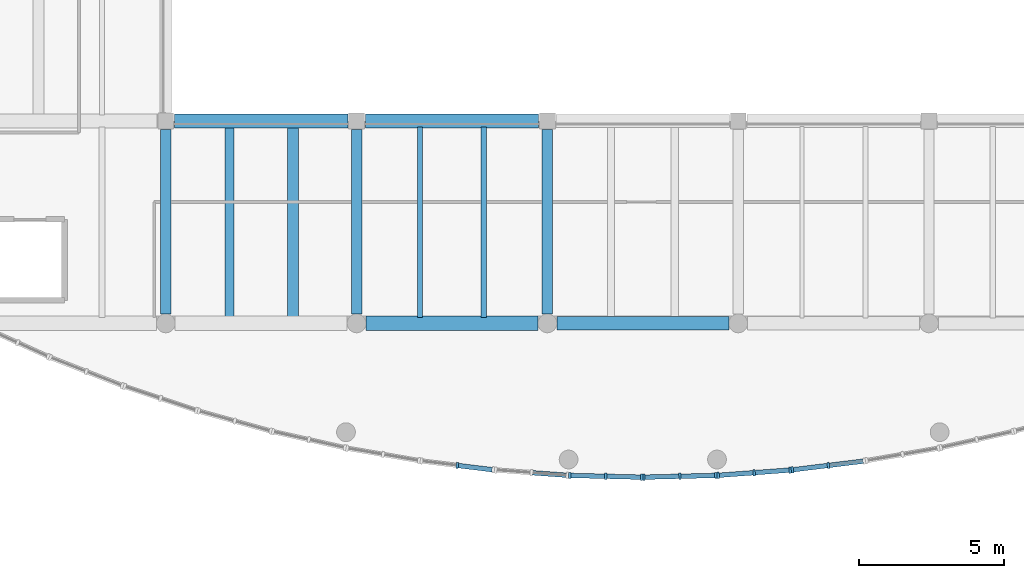
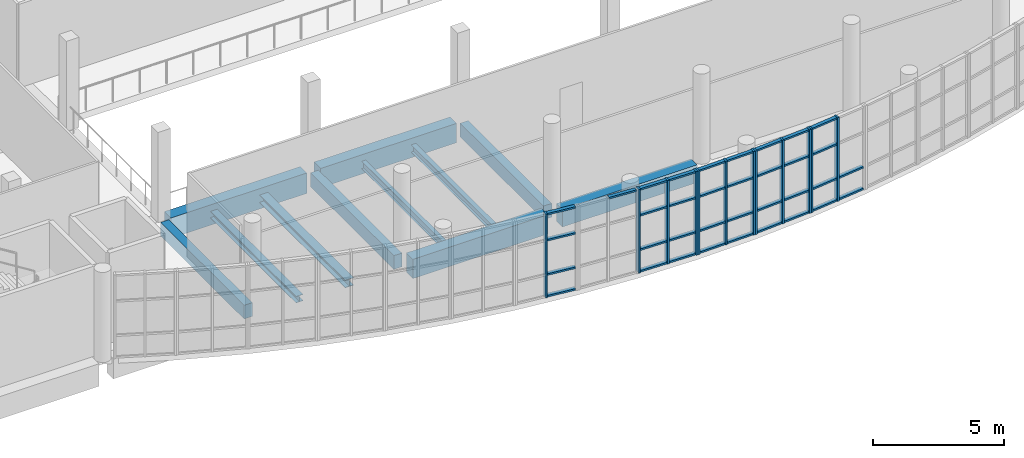
# One storey, part 10 of 65: 47 members, 11 beams, 6 elements without a shape of their own.
"""IFC4 building model written with IfcOpenShell, lengths in metres."""

from ifc_helpers import new_model, si_unit, direction, frame, origin, origin_2d, place, context, subcontext, project, spatial, rectangle, i_section, extrude, material, material_profile, profile_set, type_object, element, aggregate, save


model = new_model("IFC4")

# Units and contexts
model_context = context("Model", 3, precision=1e-05, world=origin(), true_north=direction((0.0, 1.0)))
body_context = subcontext(model_context, "Body", "Model", "MODEL_VIEW")
ifc_project = project(units=[si_unit("LENGTHUNIT", "METRE"), si_unit("AREAUNIT", "SQUARE_METRE"), si_unit("VOLUMEUNIT", "CUBIC_METRE"), si_unit("PLANEANGLEUNIT", "RADIAN"), si_unit("MASSUNIT", "GRAM", prefix="KILO")], contexts=[model_context])

# Site, building, storey
site_placement = place(None, origin())
site = spatial("IfcSite", under=ifc_project, at=site_placement, CompositionType="ELEMENT")
building_placement = place(site_placement, origin())
building = spatial("IfcBuilding", under=site, at=building_placement, Name="Ciguamira Faculty of Natural Sciences", CompositionType="ELEMENT")
storey_placement = place(building_placement, frame((0.0, 0.0, 12.60009765625)))
storey = spatial("IfcBuildingStorey", under=building, at=storey_placement, Name="L03", CompositionType="ELEMENT", Elevation=12.60009765625)

# Curtain wall, member
ifc_material_1 = material(Name="Anodized aluminium curtain wall", Category="aluminium")
curtain_wall_type_1 = type_object("IfcCurtainWallType", Name="CurtainWall_CW-06", PredefinedType="USERDEFINED", material=ifc_material_1)
curtain_wall_1_placement = place(storey_placement, origin())
curtain_wall_1 = element("IfcCurtainWall", 1, at=curtain_wall_1_placement, inside=storey, type_object=curtain_wall_type_1, Name="L03 south gallery curved curtain wall 07", ObjectType="UNITISED CURTAIN WALL", PredefinedType="USERDEFINED")
ifc_material_2 = material(Name="Anodized aluminium mullion", Category="aluminium")
ifc_material_profile_1 = material_profile(ifc_material_2, rectangle(XDim=0.080078125, YDim=0.219970703125, at=origin_2d()), Name="ALU-MUL-80X220")
ifc_profile_set_1 = profile_set([ifc_material_profile_1], Name="Anodized aluminium mullion")
member_type_1 = type_object("IfcMemberType", Name="CWMullion_CWM-03", PredefinedType="MULLION", material=ifc_profile_set_1)
member_1_placement = place(storey_placement, frame((80.583251953125, 5.0859375, 0.0), z_axis=(0.0, 0.0, 1.0), x_axis=(0.992585912631, -0.12154507825, 0.0)))
member_1 = element("IfcMember", 2, at=member_1_placement, type_object=member_type_1, Name="CW-06 mullion 2", PredefinedType="MULLION", context=body_context, shape_type="SweptSolid", body=[
    extrude(rectangle(XDim=0.080078125, YDim=0.219970703125, at=origin_2d()), origin(), (0.0, 0.0, 1.0), 3.89990234375),
])

# Curtain wall, members
curtain_wall_type_2 = type_object("IfcCurtainWallType", Name="CurtainWall_CW-08", PredefinedType="USERDEFINED", material=ifc_material_1)
curtain_wall_2_placement = place(storey_placement, origin())
curtain_wall_2 = element("IfcCurtainWall", 3, at=curtain_wall_2_placement, inside=storey, type_object=curtain_wall_type_2, Name="L03 south gallery curved curtain wall 09", ObjectType="UNITISED CURTAIN WALL", PredefinedType="USERDEFINED")
member_2_placement = place(storey_placement, frame((84.473388671875, 4.740234375, 0.0), z_axis=(0.0, 0.0, 1.0), x_axis=(0.999703662415, -0.024343117197, 0.0)))
member_2 = element("IfcMember", 4, at=member_2_placement, type_object=member_type_1, Name="CW-08 mullion 1", PredefinedType="MULLION", context=body_context, shape_type="SweptSolid", body=[
    extrude(rectangle(XDim=0.080078125, YDim=0.219970703125, at=origin_2d()), origin(), (0.0, 0.0, 1.0), 3.89990234375),
])
member_3_placement = place(storey_placement, frame((85.716552734375, 4.7099609375, 0.0), z_axis=(0.0, 0.0, 1.0), x_axis=(0.999703662415, -0.024343117197, 0.0)))
member_3 = element("IfcMember", 5, at=member_3_placement, type_object=member_type_1, Name="CW-08 mullion 2", PredefinedType="MULLION", context=body_context, shape_type="SweptSolid", body=[
    extrude(rectangle(XDim=0.080078125, YDim=0.219970703125, at=origin_2d()), origin(), (0.0, 0.0, 1.0), 3.89990234375),
])
member_4_placement = place(storey_placement, frame((86.9599609375, 4.6796875, 0.0), z_axis=(0.0, 0.0, 1.0), x_axis=(0.999703662415, -0.024343117197, 0.0)))
member_4 = element("IfcMember", 6, at=member_4_placement, type_object=member_type_1, Name="CW-08 mullion 3", PredefinedType="MULLION", context=body_context, shape_type="SweptSolid", body=[
    extrude(rectangle(XDim=0.080078125, YDim=0.219970703125, at=origin_2d()), origin(), (0.0, 0.0, 1.0), 3.89990234375),
])

curtain_wall_type_3 = type_object("IfcCurtainWallType", Name="CurtainWall_CW-09", PredefinedType="USERDEFINED", material=ifc_material_1)
curtain_wall_3_placement = place(storey_placement, origin())
curtain_wall_3 = element("IfcCurtainWall", 7, at=curtain_wall_3_placement, inside=storey, type_object=curtain_wall_type_3, Name="L03 south gallery curved curtain wall 10", ObjectType="UNITISED CURTAIN WALL", PredefinedType="USERDEFINED")
member_5_placement = place(storey_placement, frame((87.0400390625, 4.6796875, 0.0), z_axis=(0.0, 0.0, 1.0), x_axis=(0.999703662415, 0.024343117197, 0.0)))
member_5 = element("IfcMember", 8, at=member_5_placement, type_object=member_type_1, Name="CW-09 mullion 1", PredefinedType="MULLION", context=body_context, shape_type="SweptSolid", body=[
    extrude(rectangle(XDim=0.080078125, YDim=0.219970703125, at=origin_2d()), origin(), (0.0, 0.0, 1.0), 3.89990234375),
])
member_6_placement = place(storey_placement, frame((88.283447265625, 4.7099609375, 0.0), z_axis=(0.0, 0.0, 1.0), x_axis=(0.999703662415, 0.024343117197, 0.0)))
member_6 = element("IfcMember", 9, at=member_6_placement, type_object=member_type_1, Name="CW-09 mullion 2", PredefinedType="MULLION", context=body_context, shape_type="SweptSolid", body=[
    extrude(rectangle(XDim=0.080078125, YDim=0.219970703125, at=origin_2d()), origin(), (0.0, 0.0, 1.0), 3.89990234375),
])
member_7_placement = place(storey_placement, frame((89.526611328125, 4.740234375, 0.0), z_axis=(0.0, 0.0, 1.0), x_axis=(0.999703662415, 0.024343117197, 0.0)))
member_7 = element("IfcMember", 10, at=member_7_placement, type_object=member_type_1, Name="CW-09 mullion 3", PredefinedType="MULLION", context=body_context, shape_type="SweptSolid", body=[
    extrude(rectangle(XDim=0.080078125, YDim=0.219970703125, at=origin_2d()), origin(), (0.0, 0.0, 1.0), 3.89990234375),
])

curtain_wall_type_4 = type_object("IfcCurtainWallType", Name="CurtainWall_CW-10", PredefinedType="USERDEFINED", material=ifc_material_1)
curtain_wall_4_placement = place(storey_placement, origin())
curtain_wall_4 = element("IfcCurtainWall", 11, at=curtain_wall_4_placement, inside=storey, type_object=curtain_wall_type_4, Name="L03 south gallery curved curtain wall 11", ObjectType="UNITISED CURTAIN WALL", PredefinedType="USERDEFINED")
member_8_placement = place(storey_placement, frame((89.606689453125, 4.744140625, 0.0), z_axis=(0.0, 0.0, 1.0), x_axis=(0.99733655099, 0.072936986916, 0.0)))
member_8 = element("IfcMember", 12, at=member_8_placement, type_object=member_type_1, Name="CW-10 mullion 1", PredefinedType="MULLION", context=body_context, shape_type="SweptSolid", body=[
    extrude(rectangle(XDim=0.080078125, YDim=0.219970703125, at=origin_2d()), origin(), (0.0, 0.0, 1.0), 3.89990234375),
])
member_9_placement = place(storey_placement, frame((90.85009765625, 4.8349609375, 0.0), z_axis=(0.0, 0.0, 1.0), x_axis=(0.99733655099, 0.072936986916, 0.0)))
member_9 = element("IfcMember", 13, at=member_9_placement, type_object=member_type_1, Name="CW-10 mullion 2", PredefinedType="MULLION", context=body_context, shape_type="SweptSolid", body=[
    extrude(rectangle(XDim=0.080078125, YDim=0.219970703125, at=origin_2d()), origin(), (0.0, 0.0, 1.0), 3.89990234375),
])
member_10_placement = place(storey_placement, frame((92.093505859375, 4.926025390625, 0.0), z_axis=(0.0, 0.0, 1.0), x_axis=(0.99733655099, 0.072936986916, 0.0)))
member_10 = element("IfcMember", 14, at=member_10_placement, type_object=member_type_1, Name="CW-10 mullion 3", PredefinedType="MULLION", context=body_context, shape_type="SweptSolid", body=[
    extrude(rectangle(XDim=0.080078125, YDim=0.219970703125, at=origin_2d()), origin(), (0.0, 0.0, 1.0), 3.89990234375),
])

curtain_wall_type_5 = type_object("IfcCurtainWallType", Name="CurtainWall_CW-11", PredefinedType="USERDEFINED", material=ifc_material_1)
curtain_wall_5_placement = place(storey_placement, origin())
curtain_wall_5 = element("IfcCurtainWall", 15, at=curtain_wall_5_placement, inside=storey, type_object=curtain_wall_type_5, Name="L03 south gallery curved curtain wall 12", ObjectType="UNITISED CURTAIN WALL", PredefinedType="USERDEFINED")
member_11_placement = place(storey_placement, frame((92.173095703125, 4.933837890625, 0.0), z_axis=(0.0, 0.0, 1.0), x_axis=(0.992585912631, 0.12154507825, 0.0)))
member_11 = element("IfcMember", 16, at=member_11_placement, type_object=member_type_1, Name="CW-11 mullion 1", PredefinedType="MULLION", context=body_context, shape_type="SweptSolid", body=[
    extrude(rectangle(XDim=0.080078125, YDim=0.219970703125, at=origin_2d()), origin(), (0.0, 0.0, 1.0), 3.89990234375),
])
member_12_placement = place(storey_placement, frame((93.416748046875, 5.0859375, 0.0), z_axis=(0.0, 0.0, 1.0), x_axis=(0.992585912631, 0.12154507825, 0.0)))
member_12 = element("IfcMember", 17, at=member_12_placement, type_object=member_type_1, Name="CW-11 mullion 2", PredefinedType="MULLION", context=body_context, shape_type="SweptSolid", body=[
    extrude(rectangle(XDim=0.080078125, YDim=0.219970703125, at=origin_2d()), origin(), (0.0, 0.0, 1.0), 3.89990234375),
])

# Member
ifc_material_3 = material(Name="Anodized aluminium transom", Category="aluminium")
ifc_material_profile_2 = material_profile(ifc_material_3, rectangle(XDim=0.080078125, YDim=0.159912109375, at=origin_2d()), Name="ALU-TRN-80X160")
ifc_profile_set_2 = profile_set([ifc_material_profile_2], Name="Anodized aluminium transom")
member_type_2 = type_object("IfcMemberType", Name="CWTransom_CWT-03", PredefinedType="USERDEFINED", material=ifc_profile_set_2)
member_13_placement = place(storey_placement, frame((80.623046875, 5.081298828125, 0.039794921875), z_axis=(0.992585363796, -0.121549560171, 0.0), x_axis=(0.0, 0.0, 1.0)))
member_13 = element("IfcMember", 18, at=member_13_placement, type_object=member_type_2, Name="CW-06 transom 2.1", ObjectType="TRANSOM", PredefinedType="USERDEFINED", context=body_context, shape_type="SweptSolid", body=[
    extrude(rectangle(XDim=0.080078125, YDim=0.159912109375, at=origin_2d()), origin(), (0.0, 0.0, 1.0), 1.173095703125),
])

member_14_placement = place(storey_placement, frame((80.623046875, 5.081298828125, 1.0498046875), z_axis=(0.992585363796, -0.121549560171, 0.0), x_axis=(0.0, 0.0, 1.0)))
member_14 = element("IfcMember", 19, at=member_14_placement, type_object=member_type_2, Name="CW-06 transom 2.2", ObjectType="TRANSOM", PredefinedType="USERDEFINED", context=body_context, shape_type="SweptSolid", body=[
    extrude(rectangle(XDim=0.080078125, YDim=0.159912109375, at=origin_2d()), origin(), (0.0, 0.0, 1.0), 1.173095703125),
])

member_15_placement = place(storey_placement, frame((80.623046875, 5.081298828125, 2.64990234375), z_axis=(0.992585363796, -0.121549560171, 0.0), x_axis=(0.0, 0.0, 1.0)))
member_15 = element("IfcMember", 20, at=member_15_placement, type_object=member_type_2, Name="CW-06 transom 2.3", ObjectType="TRANSOM", PredefinedType="USERDEFINED", context=body_context, shape_type="SweptSolid", body=[
    extrude(rectangle(XDim=0.080078125, YDim=0.159912109375, at=origin_2d()), origin(), (0.0, 0.0, 1.0), 1.173095703125),
])

member_16_placement = place(storey_placement, frame((80.623046875, 5.081298828125, 3.85986328125), z_axis=(0.992585363796, -0.121549560171, 0.0), x_axis=(0.0, 0.0, 1.0)))
member_16 = element("IfcMember", 21, at=member_16_placement, type_object=member_type_2, Name="CW-06 transom 2.4", ObjectType="TRANSOM", PredefinedType="USERDEFINED", context=body_context, shape_type="SweptSolid", body=[
    extrude(rectangle(XDim=0.080078125, YDim=0.159912109375, at=origin_2d()), origin(), (0.0, 0.0, 1.0), 1.173095703125),
])

aggregate(curtain_wall_1, [member_1, member_13, member_14, member_15, member_16])

# Curtain wall, member
curtain_wall_type_6 = type_object("IfcCurtainWallType", Name="CurtainWall_CW-07", PredefinedType="USERDEFINED", material=ifc_material_1)
curtain_wall_6_placement = place(storey_placement, origin())
curtain_wall_6 = element("IfcCurtainWall", 22, at=curtain_wall_6_placement, inside=storey, type_object=curtain_wall_type_6, Name="L03 south gallery curved curtain wall 08", ObjectType="UNITISED CURTAIN WALL", PredefinedType="USERDEFINED")
member_17_placement = place(storey_placement, frame((83.18994140625, 4.83203125, 3.85986328125), z_axis=(0.997344856117, -0.072823334018, 0.0), x_axis=(0.0, 0.0, 1.0)))
member_17 = element("IfcMember", 23, at=member_17_placement, type_object=member_type_2, Name="CW-07 transom 2.4", ObjectType="TRANSOM", PredefinedType="USERDEFINED", context=body_context, shape_type="SweptSolid", body=[
    extrude(rectangle(XDim=0.080078125, YDim=0.159912109375, at=origin_2d()), origin(), (0.0, 0.0, 1.0), 1.166748046875),
])
aggregate(curtain_wall_6, [member_17])

# Member
member_18_placement = place(storey_placement, frame((84.51318359375, 4.7392578125, 0.039794921875), z_axis=(0.999703936407, -0.024331862489, 0.0), x_axis=(0.0, 0.0, 1.0)))
member_18 = element("IfcMember", 24, at=member_18_placement, type_object=member_type_2, Name="CW-08 transom 1.1", ObjectType="TRANSOM", PredefinedType="USERDEFINED", context=body_context, shape_type="SweptSolid", body=[
    extrude(rectangle(XDim=0.080078125, YDim=0.159912109375, at=origin_2d()), origin(), (0.0, 0.0, 1.0), 1.163818359375),
])

member_19_placement = place(storey_placement, frame((84.51318359375, 4.7392578125, 1.0498046875), z_axis=(0.999703936407, -0.024331862489, 0.0), x_axis=(0.0, 0.0, 1.0)))
member_19 = element("IfcMember", 25, at=member_19_placement, type_object=member_type_2, Name="CW-08 transom 1.2", ObjectType="TRANSOM", PredefinedType="USERDEFINED", context=body_context, shape_type="SweptSolid", body=[
    extrude(rectangle(XDim=0.080078125, YDim=0.159912109375, at=origin_2d()), origin(), (0.0, 0.0, 1.0), 1.163818359375),
])

member_20_placement = place(storey_placement, frame((84.51318359375, 4.7392578125, 2.64990234375), z_axis=(0.999703936407, -0.024331862489, 0.0), x_axis=(0.0, 0.0, 1.0)))
member_20 = element("IfcMember", 26, at=member_20_placement, type_object=member_type_2, Name="CW-08 transom 1.3", ObjectType="TRANSOM", PredefinedType="USERDEFINED", context=body_context, shape_type="SweptSolid", body=[
    extrude(rectangle(XDim=0.080078125, YDim=0.159912109375, at=origin_2d()), origin(), (0.0, 0.0, 1.0), 1.163818359375),
])

member_21_placement = place(storey_placement, frame((84.51318359375, 4.7392578125, 3.85986328125), z_axis=(0.999703936407, -0.024331862489, 0.0), x_axis=(0.0, 0.0, 1.0)))
member_21 = element("IfcMember", 27, at=member_21_placement, type_object=member_type_2, Name="CW-08 transom 1.4", ObjectType="TRANSOM", PredefinedType="USERDEFINED", context=body_context, shape_type="SweptSolid", body=[
    extrude(rectangle(XDim=0.080078125, YDim=0.159912109375, at=origin_2d()), origin(), (0.0, 0.0, 1.0), 1.163818359375),
])

member_22_placement = place(storey_placement, frame((85.756591796875, 4.708984375, 0.039794921875), z_axis=(0.999703812183, -0.024336965837, 0.0), x_axis=(0.0, 0.0, 1.0)))
member_22 = element("IfcMember", 28, at=member_22_placement, type_object=member_type_2, Name="CW-08 transom 2.1", ObjectType="TRANSOM", PredefinedType="USERDEFINED", context=body_context, shape_type="SweptSolid", body=[
    extrude(rectangle(XDim=0.080078125, YDim=0.159912109375, at=origin_2d()), origin(), (0.0, 0.0, 1.0), 1.16357421875),
])

member_23_placement = place(storey_placement, frame((85.756591796875, 4.708984375, 1.0498046875), z_axis=(0.999703812183, -0.024336965837, 0.0), x_axis=(0.0, 0.0, 1.0)))
member_23 = element("IfcMember", 29, at=member_23_placement, type_object=member_type_2, Name="CW-08 transom 2.2", ObjectType="TRANSOM", PredefinedType="USERDEFINED", context=body_context, shape_type="SweptSolid", body=[
    extrude(rectangle(XDim=0.080078125, YDim=0.159912109375, at=origin_2d()), origin(), (0.0, 0.0, 1.0), 1.16357421875),
])

member_24_placement = place(storey_placement, frame((85.756591796875, 4.708984375, 2.64990234375), z_axis=(0.999703812183, -0.024336965837, 0.0), x_axis=(0.0, 0.0, 1.0)))
member_24 = element("IfcMember", 30, at=member_24_placement, type_object=member_type_2, Name="CW-08 transom 2.3", ObjectType="TRANSOM", PredefinedType="USERDEFINED", context=body_context, shape_type="SweptSolid", body=[
    extrude(rectangle(XDim=0.080078125, YDim=0.159912109375, at=origin_2d()), origin(), (0.0, 0.0, 1.0), 1.16357421875),
])

member_25_placement = place(storey_placement, frame((85.756591796875, 4.708984375, 3.85986328125), z_axis=(0.999703812183, -0.024336965837, 0.0), x_axis=(0.0, 0.0, 1.0)))
member_25 = element("IfcMember", 31, at=member_25_placement, type_object=member_type_2, Name="CW-08 transom 2.4", ObjectType="TRANSOM", PredefinedType="USERDEFINED", context=body_context, shape_type="SweptSolid", body=[
    extrude(rectangle(XDim=0.080078125, YDim=0.159912109375, at=origin_2d()), origin(), (0.0, 0.0, 1.0), 1.16357421875),
])

aggregate(curtain_wall_2, [member_2, member_3, member_4, member_18, member_19, member_20, member_21, member_22, member_23, member_24, member_25])

member_26_placement = place(storey_placement, frame((87.080078125, 4.6806640625, 0.039794921875), z_axis=(0.999703812183, 0.024336965837, 0.0), x_axis=(0.0, 0.0, 1.0)))
member_26 = element("IfcMember", 32, at=member_26_placement, type_object=member_type_2, Name="CW-09 transom 1.1", ObjectType="TRANSOM", PredefinedType="USERDEFINED", context=body_context, shape_type="SweptSolid", body=[
    extrude(rectangle(XDim=0.080078125, YDim=0.159912109375, at=origin_2d()), origin(), (0.0, 0.0, 1.0), 1.16357421875),
])

member_27_placement = place(storey_placement, frame((87.080078125, 4.6806640625, 1.0498046875), z_axis=(0.999703812183, 0.024336965837, 0.0), x_axis=(0.0, 0.0, 1.0)))
member_27 = element("IfcMember", 33, at=member_27_placement, type_object=member_type_2, Name="CW-09 transom 1.2", ObjectType="TRANSOM", PredefinedType="USERDEFINED", context=body_context, shape_type="SweptSolid", body=[
    extrude(rectangle(XDim=0.080078125, YDim=0.159912109375, at=origin_2d()), origin(), (0.0, 0.0, 1.0), 1.16357421875),
])

member_28_placement = place(storey_placement, frame((87.080078125, 4.6806640625, 2.64990234375), z_axis=(0.999703812183, 0.024336965837, 0.0), x_axis=(0.0, 0.0, 1.0)))
member_28 = element("IfcMember", 34, at=member_28_placement, type_object=member_type_2, Name="CW-09 transom 1.3", ObjectType="TRANSOM", PredefinedType="USERDEFINED", context=body_context, shape_type="SweptSolid", body=[
    extrude(rectangle(XDim=0.080078125, YDim=0.159912109375, at=origin_2d()), origin(), (0.0, 0.0, 1.0), 1.16357421875),
])

member_29_placement = place(storey_placement, frame((87.080078125, 4.6806640625, 3.85986328125), z_axis=(0.999703812183, 0.024336965837, 0.0), x_axis=(0.0, 0.0, 1.0)))
member_29 = element("IfcMember", 35, at=member_29_placement, type_object=member_type_2, Name="CW-09 transom 1.4", ObjectType="TRANSOM", PredefinedType="USERDEFINED", context=body_context, shape_type="SweptSolid", body=[
    extrude(rectangle(XDim=0.080078125, YDim=0.159912109375, at=origin_2d()), origin(), (0.0, 0.0, 1.0), 1.16357421875),
])

member_30_placement = place(storey_placement, frame((88.3232421875, 4.7109375, 0.039794921875), z_axis=(0.999703936407, 0.024331862489, 0.0), x_axis=(0.0, 0.0, 1.0)))
member_30 = element("IfcMember", 36, at=member_30_placement, type_object=member_type_2, Name="CW-09 transom 2.1", ObjectType="TRANSOM", PredefinedType="USERDEFINED", context=body_context, shape_type="SweptSolid", body=[
    extrude(rectangle(XDim=0.080078125, YDim=0.159912109375, at=origin_2d()), origin(), (0.0, 0.0, 1.0), 1.163818359375),
])

member_31_placement = place(storey_placement, frame((88.3232421875, 4.7109375, 1.0498046875), z_axis=(0.999703936407, 0.024331862489, 0.0), x_axis=(0.0, 0.0, 1.0)))
member_31 = element("IfcMember", 37, at=member_31_placement, type_object=member_type_2, Name="CW-09 transom 2.2", ObjectType="TRANSOM", PredefinedType="USERDEFINED", context=body_context, shape_type="SweptSolid", body=[
    extrude(rectangle(XDim=0.080078125, YDim=0.159912109375, at=origin_2d()), origin(), (0.0, 0.0, 1.0), 1.163818359375),
])

member_32_placement = place(storey_placement, frame((88.3232421875, 4.7109375, 2.64990234375), z_axis=(0.999703936407, 0.024331862489, 0.0), x_axis=(0.0, 0.0, 1.0)))
member_32 = element("IfcMember", 38, at=member_32_placement, type_object=member_type_2, Name="CW-09 transom 2.3", ObjectType="TRANSOM", PredefinedType="USERDEFINED", context=body_context, shape_type="SweptSolid", body=[
    extrude(rectangle(XDim=0.080078125, YDim=0.159912109375, at=origin_2d()), origin(), (0.0, 0.0, 1.0), 1.163818359375),
])

member_33_placement = place(storey_placement, frame((88.3232421875, 4.7109375, 3.85986328125), z_axis=(0.999703936407, 0.024331862489, 0.0), x_axis=(0.0, 0.0, 1.0)))
member_33 = element("IfcMember", 39, at=member_33_placement, type_object=member_type_2, Name="CW-09 transom 2.4", ObjectType="TRANSOM", PredefinedType="USERDEFINED", context=body_context, shape_type="SweptSolid", body=[
    extrude(rectangle(XDim=0.080078125, YDim=0.159912109375, at=origin_2d()), origin(), (0.0, 0.0, 1.0), 1.163818359375),
])

aggregate(curtain_wall_3, [member_5, member_6, member_7, member_26, member_27, member_28, member_29, member_30, member_31, member_32, member_33])

member_34_placement = place(storey_placement, frame((89.646484375, 4.7470703125, 0.039794921875), z_axis=(0.997344856117, 0.072823334018, 0.0), x_axis=(0.0, 0.0, 1.0)))
member_34 = element("IfcMember", 40, at=member_34_placement, type_object=member_type_2, Name="CW-10 transom 1.1", ObjectType="TRANSOM", PredefinedType="USERDEFINED", context=body_context, shape_type="SweptSolid", body=[
    extrude(rectangle(XDim=0.080078125, YDim=0.159912109375, at=origin_2d()), origin(), (0.0, 0.0, 1.0), 1.166748046875),
])

member_35_placement = place(storey_placement, frame((89.646484375, 4.7470703125, 1.0498046875), z_axis=(0.997344856117, 0.072823334018, 0.0), x_axis=(0.0, 0.0, 1.0)))
member_35 = element("IfcMember", 41, at=member_35_placement, type_object=member_type_2, Name="CW-10 transom 1.2", ObjectType="TRANSOM", PredefinedType="USERDEFINED", context=body_context, shape_type="SweptSolid", body=[
    extrude(rectangle(XDim=0.080078125, YDim=0.159912109375, at=origin_2d()), origin(), (0.0, 0.0, 1.0), 1.166748046875),
])

member_36_placement = place(storey_placement, frame((89.646484375, 4.7470703125, 2.64990234375), z_axis=(0.997344856117, 0.072823334018, 0.0), x_axis=(0.0, 0.0, 1.0)))
member_36 = element("IfcMember", 42, at=member_36_placement, type_object=member_type_2, Name="CW-10 transom 1.3", ObjectType="TRANSOM", PredefinedType="USERDEFINED", context=body_context, shape_type="SweptSolid", body=[
    extrude(rectangle(XDim=0.080078125, YDim=0.159912109375, at=origin_2d()), origin(), (0.0, 0.0, 1.0), 1.166748046875),
])

member_37_placement = place(storey_placement, frame((89.646484375, 4.7470703125, 3.85986328125), z_axis=(0.997344856117, 0.072823334018, 0.0), x_axis=(0.0, 0.0, 1.0)))
member_37 = element("IfcMember", 43, at=member_37_placement, type_object=member_type_2, Name="CW-10 transom 1.4", ObjectType="TRANSOM", PredefinedType="USERDEFINED", context=body_context, shape_type="SweptSolid", body=[
    extrude(rectangle(XDim=0.080078125, YDim=0.159912109375, at=origin_2d()), origin(), (0.0, 0.0, 1.0), 1.166748046875),
])

member_38_placement = place(storey_placement, frame((90.889892578125, 4.837890625, 0.039794921875), z_axis=(0.997329635901, 0.073031481941, 0.0), x_axis=(0.0, 0.0, 1.0)))
member_38 = element("IfcMember", 44, at=member_38_placement, type_object=member_type_2, Name="CW-10 transom 2.1", ObjectType="TRANSOM", PredefinedType="USERDEFINED", context=body_context, shape_type="SweptSolid", body=[
    extrude(rectangle(XDim=0.080078125, YDim=0.159912109375, at=origin_2d()), origin(), (0.0, 0.0, 1.0), 1.166748046875),
])

member_39_placement = place(storey_placement, frame((90.889892578125, 4.837890625, 1.0498046875), z_axis=(0.997329635901, 0.073031481941, 0.0), x_axis=(0.0, 0.0, 1.0)))
member_39 = element("IfcMember", 45, at=member_39_placement, type_object=member_type_2, Name="CW-10 transom 2.2", ObjectType="TRANSOM", PredefinedType="USERDEFINED", context=body_context, shape_type="SweptSolid", body=[
    extrude(rectangle(XDim=0.080078125, YDim=0.159912109375, at=origin_2d()), origin(), (0.0, 0.0, 1.0), 1.166748046875),
])

member_40_placement = place(storey_placement, frame((90.889892578125, 4.837890625, 2.64990234375), z_axis=(0.997329635901, 0.073031481941, 0.0), x_axis=(0.0, 0.0, 1.0)))
member_40 = element("IfcMember", 46, at=member_40_placement, type_object=member_type_2, Name="CW-10 transom 2.3", ObjectType="TRANSOM", PredefinedType="USERDEFINED", context=body_context, shape_type="SweptSolid", body=[
    extrude(rectangle(XDim=0.080078125, YDim=0.159912109375, at=origin_2d()), origin(), (0.0, 0.0, 1.0), 1.166748046875),
])

member_41_placement = place(storey_placement, frame((90.889892578125, 4.837890625, 3.85986328125), z_axis=(0.997329635901, 0.073031481941, 0.0), x_axis=(0.0, 0.0, 1.0)))
member_41 = element("IfcMember", 47, at=member_41_placement, type_object=member_type_2, Name="CW-10 transom 2.4", ObjectType="TRANSOM", PredefinedType="USERDEFINED", context=body_context, shape_type="SweptSolid", body=[
    extrude(rectangle(XDim=0.080078125, YDim=0.159912109375, at=origin_2d()), origin(), (0.0, 0.0, 1.0), 1.166748046875),
])

aggregate(curtain_wall_4, [member_8, member_9, member_10, member_34, member_35, member_36, member_37, member_38, member_39, member_40, member_41])

member_42_placement = place(storey_placement, frame((92.212646484375, 4.938720703125, 0.039794921875), z_axis=(0.992585363796, 0.121549560171, 0.0), x_axis=(0.0, 0.0, 1.0)))
member_42 = element("IfcMember", 48, at=member_42_placement, type_object=member_type_2, Name="CW-11 transom 1.1", ObjectType="TRANSOM", PredefinedType="USERDEFINED", context=body_context, shape_type="SweptSolid", body=[
    extrude(rectangle(XDim=0.080078125, YDim=0.159912109375, at=origin_2d()), origin(), (0.0, 0.0, 1.0), 1.173095703125),
])

member_43_placement = place(storey_placement, frame((92.212646484375, 4.938720703125, 1.0498046875), z_axis=(0.992585363796, 0.121549560171, 0.0), x_axis=(0.0, 0.0, 1.0)))
member_43 = element("IfcMember", 49, at=member_43_placement, type_object=member_type_2, Name="CW-11 transom 1.2", ObjectType="TRANSOM", PredefinedType="USERDEFINED", context=body_context, shape_type="SweptSolid", body=[
    extrude(rectangle(XDim=0.080078125, YDim=0.159912109375, at=origin_2d()), origin(), (0.0, 0.0, 1.0), 1.173095703125),
])

member_44_placement = place(storey_placement, frame((92.212646484375, 4.938720703125, 2.64990234375), z_axis=(0.992585363796, 0.121549560171, 0.0), x_axis=(0.0, 0.0, 1.0)))
member_44 = element("IfcMember", 50, at=member_44_placement, type_object=member_type_2, Name="CW-11 transom 1.3", ObjectType="TRANSOM", PredefinedType="USERDEFINED", context=body_context, shape_type="SweptSolid", body=[
    extrude(rectangle(XDim=0.080078125, YDim=0.159912109375, at=origin_2d()), origin(), (0.0, 0.0, 1.0), 1.173095703125),
])

member_45_placement = place(storey_placement, frame((92.212646484375, 4.938720703125, 3.85986328125), z_axis=(0.992585363796, 0.121549560171, 0.0), x_axis=(0.0, 0.0, 1.0)))
member_45 = element("IfcMember", 51, at=member_45_placement, type_object=member_type_2, Name="CW-11 transom 1.4", ObjectType="TRANSOM", PredefinedType="USERDEFINED", context=body_context, shape_type="SweptSolid", body=[
    extrude(rectangle(XDim=0.080078125, YDim=0.159912109375, at=origin_2d()), origin(), (0.0, 0.0, 1.0), 1.173095703125),
])

member_46_placement = place(storey_placement, frame((93.456298828125, 5.0908203125, 0.039794921875), z_axis=(0.992585363796, 0.121549560171, 0.0), x_axis=(0.0, 0.0, 1.0)))
member_46 = element("IfcMember", 52, at=member_46_placement, type_object=member_type_2, Name="CW-11 transom 2.1", ObjectType="TRANSOM", PredefinedType="USERDEFINED", context=body_context, shape_type="SweptSolid", body=[
    extrude(rectangle(XDim=0.080078125, YDim=0.159912109375, at=origin_2d()), origin(), (0.0, 0.0, 1.0), 1.173095703125),
])

member_47_placement = place(storey_placement, frame((93.456298828125, 5.0908203125, 1.0498046875), z_axis=(0.992585363796, 0.121549560171, 0.0), x_axis=(0.0, 0.0, 1.0)))
member_47 = element("IfcMember", 53, at=member_47_placement, type_object=member_type_2, Name="CW-11 transom 2.2", ObjectType="TRANSOM", PredefinedType="USERDEFINED", context=body_context, shape_type="SweptSolid", body=[
    extrude(rectangle(XDim=0.080078125, YDim=0.159912109375, at=origin_2d()), origin(), (0.0, 0.0, 1.0), 1.173095703125),
])

aggregate(curtain_wall_5, [member_11, member_12, member_42, member_43, member_44, member_45, member_46, member_47])

# Beams
ifc_material_4 = material(Name="Concrete C40/50", Category="concrete")
ifc_material_profile_3 = material_profile(ifc_material_4, rectangle(XDim=0.5, YDim=0.949951171875, at=origin_2d()), Name="RC-BM-500X950")
ifc_profile_set_3 = profile_set([ifc_material_profile_3], Name="Concrete C40/50")
beam_type_1 = type_object("IfcBeamType", Name="RCBeam_BG-02_RC-BM-500X950", PredefinedType="BEAM", material=ifc_profile_set_3)
beam_1_placement = place(storey_placement, frame((70.800048828125, 17.0, -0.47509765625), z_axis=(1.0, 0.0, 0.0), x_axis=(0.0, 1.0, 0.0)))
element("IfcBeam", 54, at=beam_1_placement, inside=storey, type_object=beam_type_1, Name="L03 RC girder EW-1048", PredefinedType="BEAM", context=body_context, shape_type="SweptSolid", body=[
    extrude(rectangle(XDim=0.5, YDim=0.949951171875, at=origin_2d()), origin(), (0.0, 0.0, 1.0), 6.0),
])
ifc_material_profile_4 = material_profile(ifc_material_4, rectangle(XDim=0.5, YDim=0.89990234375, at=origin_2d()), Name="RC-BM-500X900")
ifc_profile_set_4 = profile_set([ifc_material_profile_4], Name="Concrete C40/50")
beam_type_2 = type_object("IfcBeamType", Name="RCBeam_BG-03_RC-BM-500X900", PredefinedType="BEAM", material=ifc_profile_set_4)
beam_2_placement = place(storey_placement, frame((77.425048828125, 10.0, -0.4501953125), z_axis=(1.0, 0.0, 0.0), x_axis=(0.0, 1.0, 0.0)))
element("IfcBeam", 55, at=beam_2_placement, inside=storey, type_object=beam_type_2, Name="L03 RC girder EW-1031", PredefinedType="BEAM", context=body_context, shape_type="SweptSolid", body=[
    extrude(rectangle(XDim=0.5, YDim=0.89990234375, at=origin_2d()), origin(), (0.0, 0.0, 1.0), 5.949951171875),
])
beam_3_placement = place(storey_placement, frame((77.39990234375, 17.0, -0.4501953125), z_axis=(1.0, 0.0, 0.0), x_axis=(0.0, 1.0, 0.0)))
element("IfcBeam", 56, at=beam_3_placement, inside=storey, type_object=beam_type_2, Name="L03 RC girder EW-1049", PredefinedType="BEAM", context=body_context, shape_type="SweptSolid", body=[
    extrude(rectangle(XDim=0.5, YDim=0.89990234375, at=origin_2d()), origin(), (0.0, 0.0, 1.0), 6.0),
])
ifc_material_profile_5 = material_profile(ifc_material_4, rectangle(XDim=0.4599609375, YDim=0.820068359375, at=origin_2d()), Name="RC-BM-460X820")
ifc_profile_set_5 = profile_set([ifc_material_profile_5], Name="Concrete C40/50")
beam_type_3 = type_object("IfcBeamType", Name="RCBeam_BG-04_RC-BM-460X820", PredefinedType="BEAM", material=ifc_profile_set_5)
beam_4_placement = place(storey_placement, frame((84.02490234375, 10.0, -0.41015625), z_axis=(1.0, 0.0, 0.0), x_axis=(0.0, 1.0, 0.0)))
element("IfcBeam", 57, at=beam_4_placement, inside=storey, type_object=beam_type_3, Name="L03 RC girder EW-1032", PredefinedType="BEAM", context=body_context, shape_type="SweptSolid", body=[
    extrude(rectangle(XDim=0.4599609375, YDim=0.820068359375, at=origin_2d()), origin(), (0.0, 0.0, 1.0), 5.9501953125),
])
ifc_material_profile_6 = material_profile(ifc_material_4, rectangle(XDim=0.360107421875, YDim=0.639892578125, at=origin_2d()), Name="RC-BM-360X640")
ifc_profile_set_6 = profile_set([ifc_material_profile_6], Name="Concrete C40/50")
beam_type_4 = type_object("IfcBeamType", Name="RCBeam_BG-10_RC-BM-360X640", PredefinedType="BEAM", material=ifc_profile_set_6)
for number, where, z_axis, x_axis, name in (
    (58, (70.5, 10.324951171875, -0.320068359375), (0.0, 1.0, 0.0), (-1.0, 0.0, 0.0), "L03 girder NS-1229"),
    (59, (77.10009765625, 10.324951171875, -0.320068359375), (0.0, 1.0, 0.0), (-1.0, 0.0, 0.0), "L03 girder NS-1241"),
    (60, (83.699951171875, 10.324951171875, -0.320068359375), (0.0, 1.0, 0.0), (-1.0, 0.0, 0.0), "L03 girder NS-1251"),
):
    element("IfcBeam", number, at=place(storey_placement, frame(where, z_axis=z_axis, x_axis=x_axis)), inside=storey, type_object=beam_type_4, Name=name, PredefinedType="BEAM", context=body_context, shape_type="SweptSolid", body=[
        extrude(rectangle(XDim=0.360107421875, YDim=0.639892578125, at=origin_2d()), origin(), (0.0, 0.0, 1.0), 6.375),
    ])
ifc_material_5 = material(Name="Steel ASTM A992 Grade 50", Category="steel")
ifc_material_profile_7 = material_profile(ifc_material_5, i_section(OverallWidth=0.3046875, OverallDepth=0.307373046875, WebThickness=0.010009765625, FlangeThickness=0.015380859375, at=origin_2d()), Name="W12X65")
ifc_profile_set_7 = profile_set([ifc_material_profile_7], Name="Steel ASTM A992 Grade 50")
beam_type_5 = type_object("IfcBeamType", Name="SteelJoist_SJ-08_W12X65", PredefinedType="JOIST", material=ifc_profile_set_7)
beam_5_placement = place(storey_placement, frame((72.699951171875, 10.2099609375, -0.453857421875), z_axis=(0.0, 1.0, 0.0), x_axis=(-1.0, 0.0, 0.0)))
element("IfcBeam", 61, at=beam_5_placement, inside=storey, type_object=beam_type_5, Name="L03 composite steel joist 01077", PredefinedType="JOIST", context=body_context, shape_type="SweptSolid", body=[
    extrude(i_section(OverallWidth=0.3046875, OverallDepth=0.307373046875, WebThickness=0.010009765625, FlangeThickness=0.015380859375, at=origin_2d()), origin(), (0.0, 0.0, 1.0), 6.580078125),
])
ifc_material_profile_8 = material_profile(ifc_material_5, i_section(OverallWidth=0.370849609375, OverallDepth=0.36328125, WebThickness=0.013427734375, FlangeThickness=0.021728515625, at=origin_2d()), Name="W14X109")
ifc_profile_set_8 = profile_set([ifc_material_profile_8], Name="Steel ASTM A992 Grade 50")
beam_type_6 = type_object("IfcBeamType", Name="SteelJoist_SJ-09_W14X109", PredefinedType="JOIST", material=ifc_profile_set_8)
beam_6_placement = place(storey_placement, frame((74.89990234375, 10.2099609375, -0.481689453125), z_axis=(0.0, 1.0, 0.0), x_axis=(-1.0, 0.0, 0.0)))
element("IfcBeam", 62, at=beam_6_placement, inside=storey, type_object=beam_type_6, Name="L03 composite steel joist 01078", PredefinedType="JOIST", context=body_context, shape_type="SweptSolid", body=[
    extrude(i_section(OverallWidth=0.370849609375, OverallDepth=0.36328125, WebThickness=0.013427734375, FlangeThickness=0.021728515625, at=origin_2d()), origin(), (0.0, 0.0, 1.0), 6.580078125),
])
ifc_material_profile_9 = material_profile(ifc_material_5, i_section(OverallWidth=0.1708984375, OverallDepth=0.3505859375, WebThickness=0.0068359375, FlangeThickness=0.009765625, at=origin_2d()), Name="W14X30")
ifc_profile_set_9 = profile_set([ifc_material_profile_9], Name="Steel ASTM A992 Grade 50")
beam_type_7 = type_object("IfcBeamType", Name="SteelJoist_SJ-11_W14X30", PredefinedType="JOIST", material=ifc_profile_set_9)
beam_7_placement = place(storey_placement, frame((79.300048828125, 10.2099609375, -0.475341796875), z_axis=(0.0, 1.0, 0.0), x_axis=(-1.0, 0.0, 0.0)))
element("IfcBeam", 63, at=beam_7_placement, inside=storey, type_object=beam_type_7, Name="L03 composite steel joist 01102", PredefinedType="JOIST", context=body_context, shape_type="SweptSolid", body=[
    extrude(i_section(OverallWidth=0.1708984375, OverallDepth=0.3505859375, WebThickness=0.0068359375, FlangeThickness=0.009765625, at=origin_2d()), origin(), (0.0, 0.0, 1.0), 6.580078125),
])
ifc_material_profile_10 = material_profile(ifc_material_5, i_section(OverallWidth=0.203125, OverallDepth=0.347900390625, WebThickness=0.0078125, FlangeThickness=0.013427734375, at=origin_2d()), Name="W14X43")
ifc_profile_set_10 = profile_set([ifc_material_profile_10], Name="Steel ASTM A992 Grade 50")
beam_type_8 = type_object("IfcBeamType", Name="SteelJoist_SJ-12_W14X43", PredefinedType="JOIST", material=ifc_profile_set_10)
beam_8_placement = place(storey_placement, frame((81.5, 10.2099609375, -0.47412109375), z_axis=(0.0, 1.0, 0.0), x_axis=(-1.0, 0.0, 0.0)))
element("IfcBeam", 64, at=beam_8_placement, inside=storey, type_object=beam_type_8, Name="L03 composite steel joist 01103", PredefinedType="JOIST", context=body_context, shape_type="SweptSolid", body=[
    extrude(i_section(OverallWidth=0.203125, OverallDepth=0.347900390625, WebThickness=0.0078125, FlangeThickness=0.013427734375, at=origin_2d()), origin(), (0.0, 0.0, 1.0), 6.580078125),
])

save(model, "model.ifc")
